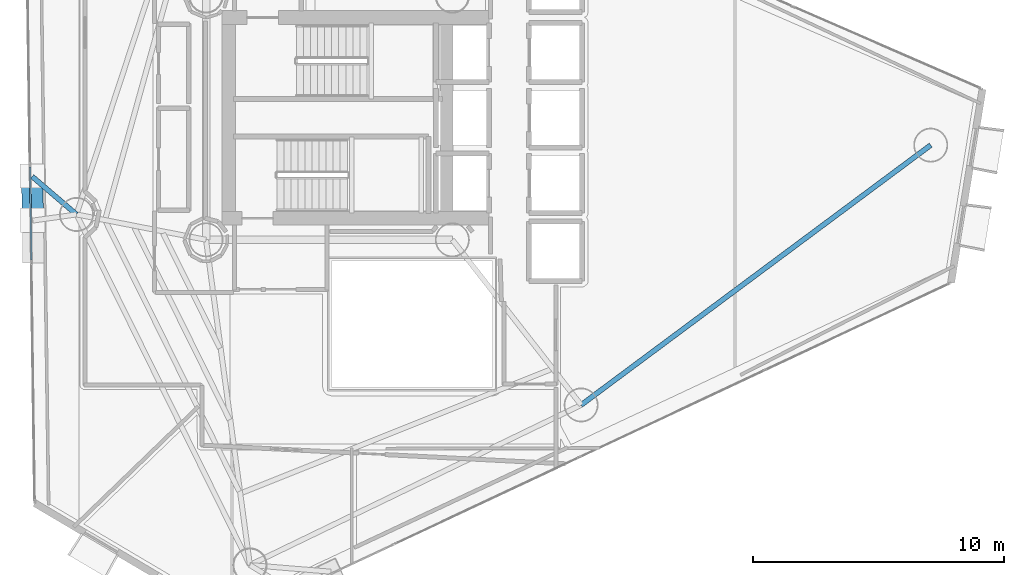
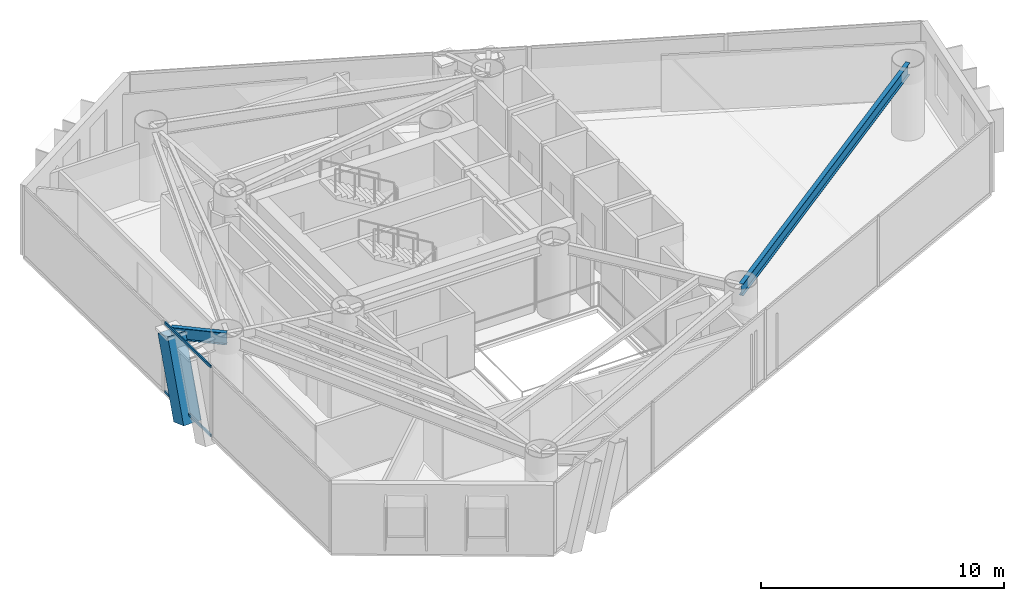
# One storey, part 7 of 20: 3 members, 2 beams, 1 element without a shape of its own.
"""IFC4 building model written with IfcOpenShell, lengths in metres."""

from ifc_helpers import new_model, si_unit, direction, frame, origin, origin_2d, place, context, subcontext, project, spatial, hollow_rectangle, i_section, extrude, material, layer, layer_set, material_profile, profile_set, type_object, element, aggregate, save


model = new_model("IFC4")

# Units and contexts
model_context = context("Model", 3, precision=1e-05, world=origin(), true_north=direction((0.0, 1.0)))
body_context = subcontext(model_context, "Body", "Model", "MODEL_VIEW")
ifc_project = project(units=[si_unit("LENGTHUNIT", "METRE"), si_unit("AREAUNIT", "SQUARE_METRE"), si_unit("VOLUMEUNIT", "CUBIC_METRE"), si_unit("PLANEANGLEUNIT", "RADIAN"), si_unit("MASSUNIT", "GRAM", prefix="KILO")], contexts=[model_context])

# Site, building, storey
site_placement = place(None, origin())
site = spatial("IfcSite", under=ifc_project, at=site_placement, CompositionType="ELEMENT")
building_placement = place(site_placement, origin())
building = spatial("IfcBuilding", under=site, at=building_placement, Name="Qianvela Tower", CompositionType="ELEMENT")
storey_placement = place(building_placement, frame((0.0, 0.0, 151.300048828125)))
storey = spatial("IfcBuildingStorey", under=building, at=storey_placement, Name="L38", CompositionType="ELEMENT", Elevation=151.300048828125)

# Beams
ifc_material_1 = material(Name="Steel Q355B", Category="steel")
ifc_material_profile_1 = material_profile(ifc_material_1, i_section(OverallWidth=0.199951171875, OverallDepth=0.60009765625, WebThickness=0.010986328125, FlangeThickness=0.01708984375, at=origin_2d()), Name="HN600x200x11x17")
ifc_profile_set_1 = profile_set([ifc_material_profile_1], Name="Steel Q355B")
beam_type = type_object("IfcBeamType", Name="BM-HN600-GIRD", PredefinedType="BEAM", material=ifc_profile_set_1)
beam_1_placement = place(storey_placement, frame((23.446044921875, 24.85888671875, 3.218017578125), z_axis=(-0.759672539857, 0.65030579898, 0.0), x_axis=(-0.65030579898, -0.759672539857, 0.0)))
element("IfcBeam", 1, at=beam_1_placement, inside=storey, type_object=beam_type, Name="L38 Mega-Brace Column Tie Bracket F2-1", PredefinedType="BEAM", context=body_context, shape_type="SweptSolid", body=[
    extrude(i_section(OverallWidth=0.199951171875, OverallDepth=0.60009765625, WebThickness=0.010986328125, FlangeThickness=0.01708984375, at=origin_2d()), origin(), (0.0, 0.0, 1.0), 2.3193359375),
])
beam_2_placement = place(storey_placement, frame((43.52490234375, 17.279052734375, 3.218017578125), z_axis=(0.802568869864, 0.596559476603, 0.0), x_axis=(-0.596559476603, 0.802568869864, 0.0)))
element("IfcBeam", 2, at=beam_2_placement, inside=storey, type_object=beam_type, Name="L38 Perimeter Ring Spandrel Girder 6", PredefinedType="BEAM", context=body_context, shape_type="SweptSolid", body=[
    extrude(i_section(OverallWidth=0.199951171875, OverallDepth=0.60009765625, WebThickness=0.010986328125, FlangeThickness=0.01708984375, at=origin_2d()), origin(), (0.0, 0.0, 1.0), 17.330810546875),
])

# Curtain wall, members
ifc_material_2 = material(Name="Anodised Architectural Aluminium and Insulated Spandrel Panel", Category="aluminium")
ifc_layer = layer(ifc_material_2, 0.179931640625)
ifc_layer_set = layer_set([ifc_layer], Name="Anodised Architectural Aluminium and Insulated Spandrel Panel")
curtain_wall_type = type_object("IfcCurtainWallType", Name="CW-BRACEBAY", PredefinedType="USERDEFINED", material=ifc_layer_set)
curtain_wall_placement = place(storey_placement, origin())
curtain_wall = element("IfcCurtainWall", 3, at=curtain_wall_placement, inside=storey, type_object=curtain_wall_type, Name="L38 CW-BRACEBAY Curtain Wall 04B", ObjectType="CURTAIN_WALL_SYSTEM", PredefinedType="USERDEFINED")
ifc_material_3 = material(Name="Anodised Architectural Aluminium 6063-T6", Category="aluminium")
ifc_material_profile_2 = material_profile(ifc_material_3, hollow_rectangle(XDim=0.06494140625, YDim=0.1298828125, WallThickness=0.00439453125, at=origin_2d()), Name="ALU-TRAN-65x130")
ifc_profile_set_2 = profile_set([ifc_material_profile_2], Name="Anodised Architectural Aluminium 6063-T6")
member_type_1 = type_object("IfcMemberType", Name="CW-BRACEBAY-TRAN", PredefinedType="USERDEFINED", material=ifc_profile_set_2)
member_1_placement = place(storey_placement, frame((21.5986328125, 26.75390625, 0.032470703125), z_axis=(0.013989259873, -0.999902145516, 0.0), x_axis=(0.999902145516, 0.013989259873, 0.0)))
member_1 = element("IfcMember", 4, at=member_1_placement, type_object=member_type_1, Name="CW-9 transom 1.1", ObjectType="TRANSOM", PredefinedType="USERDEFINED", context=body_context, shape_type="SweptSolid", body=[
    extrude(hollow_rectangle(XDim=0.06494140625, YDim=0.1298828125, WallThickness=0.00439453125, at=origin_2d()), origin(), (0.0, 0.0, 1.0), 3.69970703125),
])
member_2_placement = place(storey_placement, frame((21.5986328125, 26.75390625, 3.487548828125), z_axis=(0.013989259873, -0.999902145516, 0.0), x_axis=(0.999902145516, 0.013989259873, 0.0)))
member_2 = element("IfcMember", 5, at=member_2_placement, type_object=member_type_1, Name="CW-9 transom 1.2", ObjectType="TRANSOM", PredefinedType="USERDEFINED", context=body_context, shape_type="SweptSolid", body=[
    extrude(hollow_rectangle(XDim=0.06494140625, YDim=0.1298828125, WallThickness=0.00439453125, at=origin_2d()), origin(), (0.0, 0.0, 1.0), 3.69970703125),
])
aggregate(curtain_wall, [member_1, member_2])

# Member
ifc_material_4 = material(Name="Steel Q420GJC", Category="steel")
ifc_material_profile_3 = material_profile(ifc_material_4, hollow_rectangle(XDim=0.85009765625, YDim=0.85009765625, WallThickness=0.031982421875, at=origin_2d()), Name="MBOX-850x850x32")
ifc_profile_set_3 = profile_set([ifc_material_profile_3], Name="Steel Q420GJC")
member_type_2 = type_object("IfcMemberType", Name="MBR-MBRACE-850", PredefinedType="BRACE", material=ifc_profile_set_3)
member_3_placement = place(storey_placement, frame((21.701904296875, 25.085205078125, -0.48193359375), z_axis=(-0.004551380878, 0.327387684788, 0.944879139775), x_axis=(-0.99990337962, -0.013900770656, 0.0)))
element("IfcMember", 6, at=member_3_placement, inside=storey, type_object=member_type_2, Name="L38 Tier 6 Exterior Mega-Brace F2A", PredefinedType="BRACE", context=body_context, shape_type="SweptSolid", body=[
    extrude(hollow_rectangle(XDim=0.85009765625, YDim=0.85009765625, WallThickness=0.031982421875, at=origin_2d()), origin(), (0.0, 0.0, 1.0), 3.915771484375),
])

save(model, "model.ifc")
